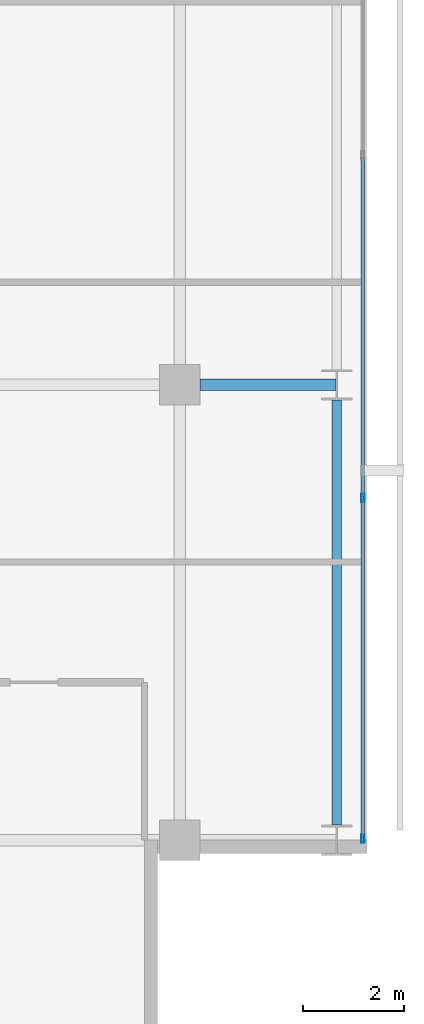
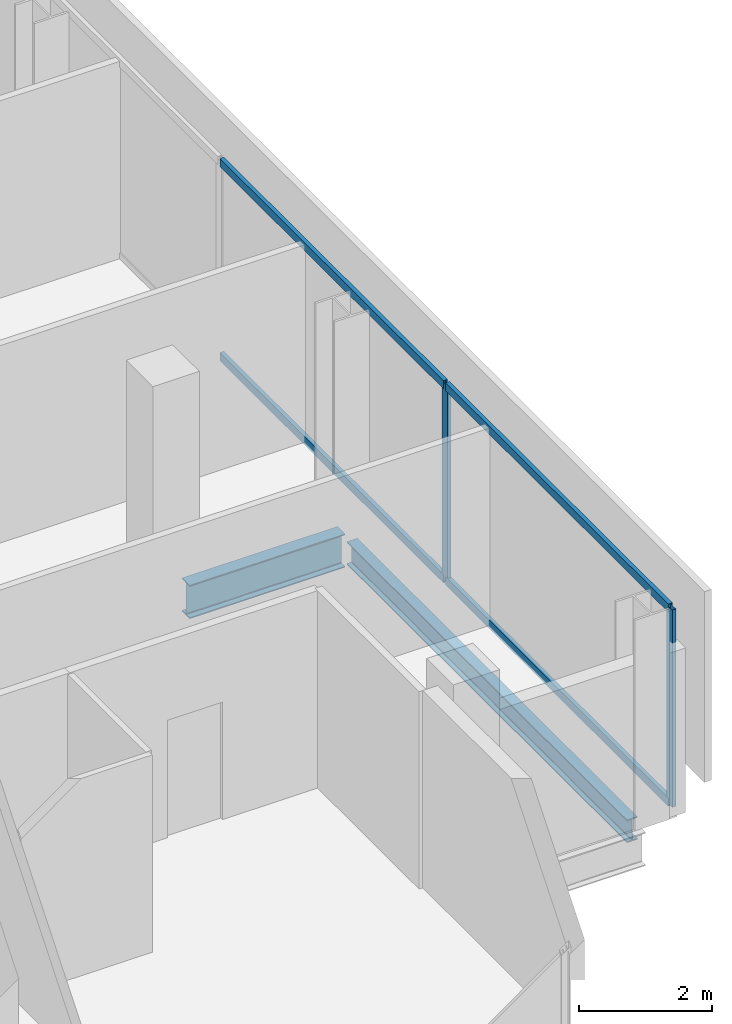
# One storey, part 15 of 33: 6 members, 2 beams, 1 element without a shape of its own.
"""IFC4 building model written with IfcOpenShell, lengths in metres."""

from ifc_helpers import new_model, si_unit, direction, frame, origin, origin_2d, place, context, subcontext, project, spatial, hollow_rectangle, i_section, extrude, material, layer, layer_set, material_profile, profile_set, type_object, element, aggregate, save


model = new_model("IFC4")

# Units and contexts
model_context = context("Model", 3, precision=1e-05, world=origin(), true_north=direction((0.0, 1.0)))
body_context = subcontext(model_context, "Body", "Model", "MODEL_VIEW")
ifc_project = project(units=[si_unit("LENGTHUNIT", "METRE"), si_unit("AREAUNIT", "SQUARE_METRE"), si_unit("VOLUMEUNIT", "CUBIC_METRE"), si_unit("PLANEANGLEUNIT", "RADIAN"), si_unit("MASSUNIT", "GRAM", prefix="KILO")], contexts=[model_context])

# Site, building, storey
site_placement = place(None, origin())
site = spatial("IfcSite", under=ifc_project, at=site_placement, CompositionType="ELEMENT")
building_placement = place(site_placement, origin())
building = spatial("IfcBuilding", under=site, at=building_placement, Name="Maruvema Waterfront Hotel and Observation Tower", CompositionType="ELEMENT")
storey_placement = place(building_placement, frame((0.0, 0.0, 154.35009765625)))
storey = spatial("IfcBuildingStorey", under=building, at=storey_placement, Name="L37", CompositionType="ELEMENT", Elevation=154.35009765625)

# Curtain wall, members
ifc_material_1 = material(Name="Anodised bronze aluminium and solar-control low-E IGU", Category="aluminium")
ifc_layer = layer(ifc_material_1, 0.159912109375, Name="Zone 2 Amber Inner Thermal Curtain Wall System CW-03")
ifc_layer_set = layer_set([ifc_layer], Name="Anodised bronze aluminium and solar-control low-E IGU")
curtain_wall_type = type_object("IfcCurtainWallType", Name="Zone 2 Amber Inner Thermal Curtain Wall System CW-03", PredefinedType="USERDEFINED", material=ifc_layer_set)
curtain_wall_placement = place(storey_placement, origin())
curtain_wall = element("IfcCurtainWall", 1, at=curtain_wall_placement, inside=storey, type_object=curtain_wall_type, Name="L37 Curtain Wall CW-L37-E", ObjectType="UNITISED CURTAIN WALL", PredefinedType="USERDEFINED")
ifc_material_2 = material(Name="Anodised architectural bronze aluminium", Category="aluminium")
ifc_material_profile_1 = material_profile(ifc_material_2, hollow_rectangle(XDim=0.070068359375, YDim=0.14990234375, WallThickness=0.00390625, at=origin_2d()), Name="ALU-T70x150")
ifc_profile_set_1 = profile_set([ifc_material_profile_1], Name="Anodised architectural bronze aluminium")
member_type_1 = type_object("IfcMemberType", Name="Curtain Wall Horizontal Transom ALU-T70x150", PredefinedType="USERDEFINED", material=ifc_profile_set_1)
member_1_placement = place(storey_placement, frame((62.419921875, 9.06005859375, 0.02978515625), z_axis=(0.0, 1.0, 0.0), x_axis=(-1.0, 0.0, 0.0)))
member_1 = element("IfcMember", 2, at=member_1_placement, type_object=member_type_1, Name="CW-03 transom 1.1", ObjectType="TRANSOM", PredefinedType="USERDEFINED", context=body_context, shape_type="SweptSolid", body=[
    extrude(hollow_rectangle(XDim=0.070068359375, YDim=0.14990234375, WallThickness=0.00390625, at=origin_2d()), origin(), (0.0, 0.0, 1.0), 6.676513671875),
])
member_2_placement = place(storey_placement, frame((62.419921875, 9.06005859375, 3.579833984375), z_axis=(0.0, 1.0, 0.0), x_axis=(-1.0, 0.0, 0.0)))
member_2 = element("IfcMember", 3, at=member_2_placement, type_object=member_type_1, Name="CW-03 transom 1.2", ObjectType="TRANSOM", PredefinedType="USERDEFINED", context=body_context, shape_type="SweptSolid", body=[
    extrude(hollow_rectangle(XDim=0.070068359375, YDim=0.14990234375, WallThickness=0.00390625, at=origin_2d()), origin(), (0.0, 0.0, 1.0), 6.676513671875),
])
member_3_placement = place(storey_placement, frame((62.419921875, 15.796630859375, 0.02978515625), z_axis=(0.0, 1.0, 0.0), x_axis=(-1.0, 0.0, 0.0)))
member_3 = element("IfcMember", 4, at=member_3_placement, type_object=member_type_1, Name="CW-03 transom 2.1", ObjectType="TRANSOM", PredefinedType="USERDEFINED", context=body_context, shape_type="SweptSolid", body=[
    extrude(hollow_rectangle(XDim=0.070068359375, YDim=0.14990234375, WallThickness=0.00390625, at=origin_2d()), origin(), (0.0, 0.0, 1.0), 6.706787109375),
])
member_4_placement = place(storey_placement, frame((62.419921875, 15.796630859375, 3.579833984375), z_axis=(0.0, 1.0, 0.0), x_axis=(-1.0, 0.0, 0.0)))
member_4 = element("IfcMember", 5, at=member_4_placement, type_object=member_type_1, Name="CW-03 transom 2.2", ObjectType="TRANSOM", PredefinedType="USERDEFINED", context=body_context, shape_type="SweptSolid", body=[
    extrude(hollow_rectangle(XDim=0.070068359375, YDim=0.14990234375, WallThickness=0.00390625, at=origin_2d()), origin(), (0.0, 0.0, 1.0), 6.706787109375),
])
ifc_material_3 = material(Name="Anodised architectural bronze aluminium", Category="aluminium")
ifc_material_profile_2 = material_profile(ifc_material_3, hollow_rectangle(XDim=0.06494140625, YDim=0.1650390625, WallThickness=0.00390625, at=origin_2d()), Name="ALU-M65x165")
ifc_profile_set_2 = profile_set([ifc_material_profile_2], Name="Anodised architectural bronze aluminium")
member_type_2 = type_object("IfcMemberType", Name="Curtain Wall Primary Mullion ALU-M65x165", PredefinedType="MULLION", material=ifc_profile_set_2)
member_5_placement = place(storey_placement, frame((62.419921875, 9.030029296875, 0.0), z_axis=(0.0, 0.0, 1.0), x_axis=(-1.0, 0.0, 0.0)))
member_5 = element("IfcMember", 6, at=member_5_placement, type_object=member_type_2, Name="CW-03 mullion 1", PredefinedType="MULLION", context=body_context, shape_type="SweptSolid", body=[
    extrude(hollow_rectangle(XDim=0.06494140625, YDim=0.1650390625, WallThickness=0.00390625, at=origin_2d()), origin(), (0.0, 0.0, 1.0), 3.60986328125),
])
member_6_placement = place(storey_placement, frame((62.419921875, 15.7666015625, 0.0), z_axis=(0.0, 0.0, 1.0), x_axis=(-1.0, 0.0, 0.0)))
member_6 = element("IfcMember", 7, at=member_6_placement, type_object=member_type_2, Name="CW-03 mullion 2", PredefinedType="MULLION", context=body_context, shape_type="SweptSolid", body=[
    extrude(hollow_rectangle(XDim=0.06494140625, YDim=0.1650390625, WallThickness=0.00390625, at=origin_2d()), origin(), (0.0, 0.0, 1.0), 3.60986328125),
])
aggregate(curtain_wall, [member_5, member_6, member_1, member_2, member_3, member_4])

# Beams
ifc_material_4 = material(Name="Steel ASTM A572 Grade 50", Category="steel")
ifc_material_profile_3 = material_profile(ifc_material_4, i_section(OverallWidth=0.180908203125, OverallDepth=0.4169921875, WebThickness=0.010986328125, FlangeThickness=0.018310546875, FilletRadius=0.014892578125, at=origin_2d()), Name="W410x85.0")
ifc_profile_set_3 = profile_set([ifc_material_profile_3], Name="Steel ASTM A572 Grade 50")
beam_type_1 = type_object("IfcBeamType", Name="Perimeter Spandrel Beam W410x85.0", PredefinedType="SPANDREL", material=ifc_profile_set_3)
beam_1_placement = place(storey_placement, frame((61.89990234375, 9.300048828125, -0.448486328125), z_axis=(0.0, 1.0, 0.0), x_axis=(-1.0, 0.0, 0.0)))
element("IfcBeam", 8, at=beam_1_placement, inside=storey, type_object=beam_type_1, Name="L37 Floor Girder NS-29", PredefinedType="SPANDREL", context=body_context, shape_type="SweptSolid", body=[
    extrude(i_section(OverallWidth=0.180908203125, OverallDepth=0.4169921875, WebThickness=0.010986328125, FlangeThickness=0.018310546875, FilletRadius=0.014892578125, at=origin_2d()), origin(), (0.0, 0.0, 1.0), 8.39990234375),
])
ifc_material_5 = material(Name="Steel ASTM A572 Grade 50", Category="steel")
ifc_material_profile_4 = material_profile(ifc_material_5, i_section(OverallWidth=0.22900390625, OverallDepth=0.612060546875, WebThickness=0.011962890625, FlangeThickness=0.01953125, FilletRadius=0.01806640625, at=origin_2d()), Name="W610x125.0")
ifc_profile_set_4 = profile_set([ifc_material_profile_4], Name="Steel ASTM A572 Grade 50")
beam_type_2 = type_object("IfcBeamType", Name="Primary Floor Girder W610x125.0", PredefinedType="BEAM", material=ifc_profile_set_4)
beam_2_placement = place(storey_placement, frame((59.199951171875, 18.0, -0.546142578125), z_axis=(1.0, 0.0, 0.0), x_axis=(0.0, 1.0, 0.0)))
element("IfcBeam", 9, at=beam_2_placement, inside=storey, type_object=beam_type_2, Name="L37 Floor Girder EW-17", PredefinedType="BEAM", context=body_context, shape_type="SweptSolid", body=[
    extrude(i_section(OverallWidth=0.22900390625, OverallDepth=0.612060546875, WebThickness=0.011962890625, FlangeThickness=0.01953125, FilletRadius=0.01806640625, at=origin_2d()), origin(), (0.0, 0.0, 1.0), 2.6875),
])

save(model, "model.ifc")
